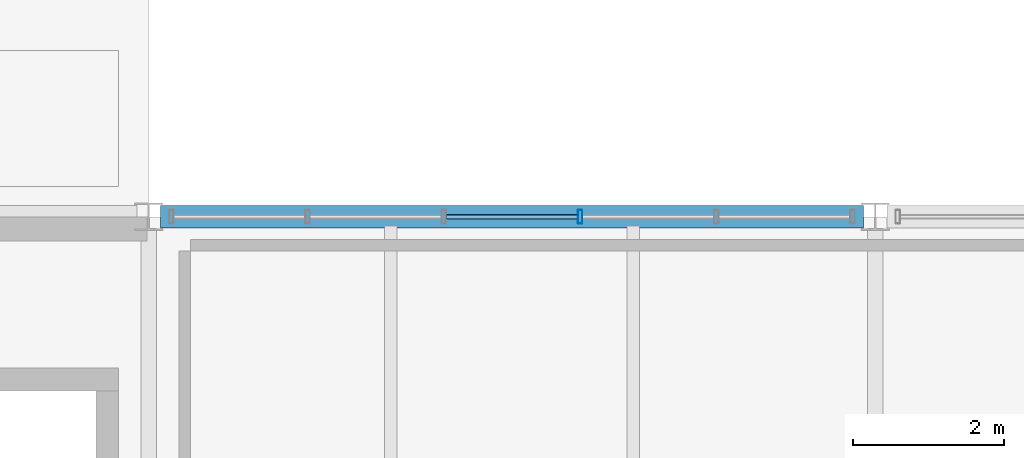
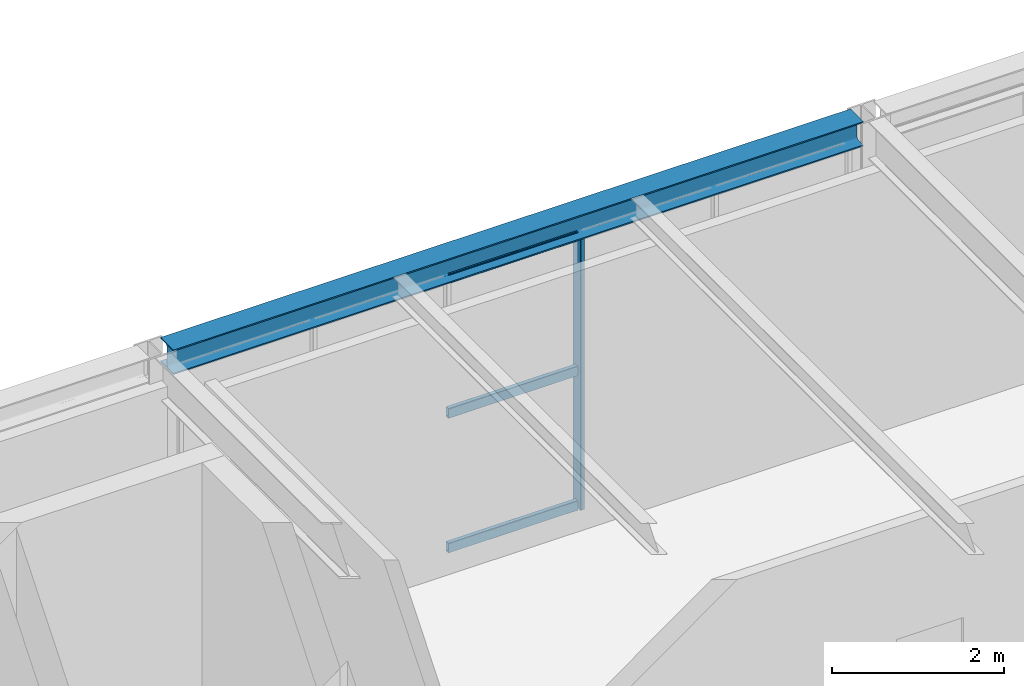
# One storey, part 37 of 170: 4 members, 1 beam, 1 element without a shape of its own.
"""IFC4 building model written with IfcOpenShell, lengths in metres."""

import ifcopenshell
import ifcopenshell.guid

model = None  # the IFC model being written
_history = None  # IfcOwnerHistory: only IFC2X3 demands one
_inside = {}  # id of a spatial element -> (the spatial element, [elements in it])
_under = {}  # id of a project, library or spatial element -> (it, [spatial elements below it])
_declared = {}  # id of a project -> (the project, [libraries it declares])
_typed = {}  # id of a type object -> (the type object, [elements of that type])
_made_of = {}  # id of a material, layer set ... -> (it, [elements and type objects made of it])


def new_model(schema):
    """Start an empty IFC model of exactly this schema.

    Asked for "IFC4X3", IfcOpenShell would pick the latest addendum, in which some entities
    have other attributes; the version numbers below select the first issue.
    IFC2X3 requires an IfcOwnerHistory on every rooted entity: one is made here for all.
    """
    global model, _history
    if schema == "IFC4X3":
        model = ifcopenshell.file(schema_version=(4, 3, 0, 0))
    else:
        model = ifcopenshell.file(schema=schema)
    _inside.clear()
    _under.clear()
    _declared.clear()
    _typed.clear()
    _made_of.clear()
    _history = None
    if model.schema == "IFC2X3":
        org = make("IfcOrganization", Name="unknown")
        user = make(
            "IfcPersonAndOrganization",
            ThePerson=make("IfcPerson", FamilyName="unknown"),
            TheOrganization=org,
        )
        app = make(
            "IfcApplication",
            ApplicationDeveloper=org,
            Version="unknown",
            ApplicationFullName="unknown",
            ApplicationIdentifier="unknown",
        )
        _history = make(
            "IfcOwnerHistory",
            OwningUser=user,
            OwningApplication=app,
            ChangeAction="ADDED",
            CreationDate=0,
        )
    return model


def make(cls, **values):
    """One entity of the class cls with the attributes given. An attribute that is None is left unset."""
    return model.create_entity(
        cls, **{name: value for name, value in values.items() if value is not None}
    )


def rooted(cls, **values):
    """An entity with a GlobalId (a new one), such as an element, a storey or a relation."""
    return make(cls, GlobalId=ifcopenshell.guid.new(), OwnerHistory=_history, **values)


def si_unit(unit_type, name, prefix=None):
    """IfcSIUnit, for example si_unit("LENGTHUNIT", "METRE", prefix="MILLI")."""
    return make("IfcSIUnit", UnitType=unit_type, Prefix=prefix, Name=name)


def assignment(units):
    """IfcUnitAssignment: the units of a project."""
    return None if units is None else make("IfcUnitAssignment", Units=units)


def point(xyz):
    """IfcCartesianPoint."""
    return None if xyz is None else make("IfcCartesianPoint", Coordinates=xyz)


def direction(xyz):
    """IfcDirection."""
    return None if xyz is None else make("IfcDirection", DirectionRatios=xyz)


def frame(location, z_axis=None, x_axis=None):
    """IfcAxis2Placement3D, a coordinate frame: its origin and axes. An axis left out is left unset."""
    return make(
        "IfcAxis2Placement3D",
        Location=point(location),
        Axis=direction(z_axis),
        RefDirection=direction(x_axis),
    )


def frame_2d(location, x_axis=None):
    """IfcAxis2Placement2D, a coordinate frame in the plane: its origin and x axis."""
    return make(
        "IfcAxis2Placement2D", Location=point(location), RefDirection=direction(x_axis)
    )


def origin():
    """The frame at (0, 0, 0) with its axes left unset."""
    return frame((0.0, 0.0, 0.0))


def origin_2d():
    """The frame at (0, 0) in the plane with its x axis left unset."""
    return frame_2d((0.0, 0.0))


def place(relative_to, where):
    """IfcLocalPlacement: puts the frame where relative to a parent placement (None: the world)."""
    return make(
        "IfcLocalPlacement", PlacementRelTo=relative_to, RelativePlacement=where
    )


def context(
    kind, dimensions, precision=None, world=None, true_north=None, identifier=None
):
    """IfcGeometricRepresentationContext, for example the 3D "Model" context."""
    return make(
        "IfcGeometricRepresentationContext",
        ContextIdentifier=identifier,
        ContextType=kind,
        CoordinateSpaceDimension=dimensions,
        Precision=precision,
        WorldCoordinateSystem=world,
        TrueNorth=true_north,
    )


def subcontext(parent, identifier, kind, view, scale=None):
    """IfcGeometricRepresentationSubContext, for example "Body" below "Model"."""
    return make(
        "IfcGeometricRepresentationSubContext",
        ContextIdentifier=identifier,
        ContextType=kind,
        ParentContext=parent,
        TargetScale=scale,
        TargetView=view,
    )


def project(units=None, contexts=None):
    """IfcProject with its units and contexts."""
    return rooted(
        "IfcProject",
        Name="project",
        RepresentationContexts=contexts,
        UnitsInContext=assignment(units),
    )


def spatial(cls, under=None, at=None, **own):
    """A site, building, storey or space (cls), placed at a placement, below another one or the project."""
    s = rooted(cls, ObjectPlacement=at, **own)
    if under is not None:
        _under.setdefault(under.id(), (under, []))[1].append(s)
    return s


def profile(cls, at=None, kind="AREA", **sizes):
    """A parametric profile (cls). Its sizes go by their IFC names, for example OverallWidth=200.0."""
    return make(cls, ProfileType=kind, Position=at, **sizes)


def hollow_rectangle(**sizes):
    """IfcRectangleHollowProfileDef."""
    return profile("IfcRectangleHollowProfileDef", **sizes)


def i_section(**sizes):
    """IfcIShapeProfileDef."""
    return profile("IfcIShapeProfileDef", **sizes)


def extrude(swept, where, along, depth):
    """IfcExtrudedAreaSolid: the profile swept, set in the frame where, extruded along a direction by depth."""
    return make(
        "IfcExtrudedAreaSolid",
        SweptArea=swept,
        Position=where,
        ExtrudedDirection=direction(along),
        Depth=depth,
    )


def shape(context_of_items, identifier, shape_type, items):
    """IfcShapeRepresentation: the items that make up one representation, for example the "Body"."""
    return make(
        "IfcShapeRepresentation",
        ContextOfItems=context_of_items,
        RepresentationIdentifier=identifier,
        RepresentationType=shape_type,
        Items=items,
    )


def material(Name=None, Category=None):
    """IfcMaterial."""
    return make("IfcMaterial", Name=Name, Category=Category)


def material_profile(
    of_material, cross_section, Name=None, Category=None, Priority=None
):
    """IfcMaterialProfile: a cross section and its material."""
    return make(
        "IfcMaterialProfile",
        Name=Name,
        Material=of_material,
        Profile=cross_section,
        Priority=Priority,
        Category=Category,
    )


def profile_set(profiles, Name=None, composite=None):
    """IfcMaterialProfileSet."""
    return make(
        "IfcMaterialProfileSet",
        Name=Name,
        MaterialProfiles=profiles,
        CompositeProfile=composite,
    )


def made_of(thing, what):
    """Note that an element or type object is made of a material, layer set ...; save() writes the relation."""
    if what is not None:
        _made_of.setdefault(what.id(), (what, []))[1].append(thing)
    return thing


def type_object(cls, material=None, **own):
    """A type object (cls), such as IfcWallType, which elements share."""
    return made_of(rooted(cls, **own), material)


def element(
    cls,
    number,
    at=None,
    inside=None,
    cuts=None,
    type_object=None,
    material=None,
    context=None,
    identifier="Body",
    shape_type=None,
    held_by="IfcProductDefinitionShape",
    body=None,
    shapes=None,
    **own,
):
    """One element of the class cls, such as IfcWall. Its Tag is "e" and its number.

    at: its placement. inside: the storey or other place that contains it. cuts: it is an
    opening in that element (IfcRelVoidsElement). A single representation is given by context,
    identifier, shape_type and body (its items); several are given by shapes. held_by: the class
    of the entity that holds the representations. save() writes the other relations.
    """
    e = rooted(cls, Tag="e%d" % number, ObjectPlacement=at, **own)
    if body is not None:
        shapes = [shape(context, identifier, shape_type, body)]
    if shapes is not None:
        e.Representation = make(held_by, Representations=shapes)
    if inside is not None:
        _inside.setdefault(inside.id(), (inside, []))[1].append(e)
    if cuts is not None:
        rooted(
            "IfcRelVoidsElement", RelatingBuildingElement=cuts, RelatedOpeningElement=e
        )
    if type_object is not None:
        _typed.setdefault(type_object.id(), (type_object, []))[1].append(e)
    return made_of(e, material)


def aggregate(whole, parts):
    """IfcRelAggregates: a whole, such as a stair, and the parts it consists of."""
    return rooted("IfcRelAggregates", RelatingObject=whole, RelatedObjects=parts)


def save(model, path):
    """Write the relations noted so far, then the file.

    IfcRelAggregates (storeys below a building ...), IfcRelContainedInSpatialStructure (elements
    in a storey), IfcRelDefinesByType, IfcRelAssociatesMaterial and IfcRelDeclares: one each for
    every whole, place, type object, material and project.
    """
    for whole, parts in _under.values():
        aggregate(whole, parts)
    for where, things in _inside.values():
        rooted(
            "IfcRelContainedInSpatialStructure",
            RelatedElements=things,
            RelatingStructure=where,
        )
    for kind, things in _typed.values():
        rooted("IfcRelDefinesByType", RelatedObjects=things, RelatingType=kind)
    for what, things in _made_of.values():
        rooted("IfcRelAssociatesMaterial", RelatedObjects=things, RelatingMaterial=what)
    for by, libraries in _declared.values():
        rooted("IfcRelDeclares", RelatingContext=by, RelatedDefinitions=libraries)
    model.write(path)


model = new_model("IFC4")

# Units and contexts
model_context = context("Model", 3, precision=1e-05, world=origin(), true_north=direction((0.0, 1.0)))
body_context = subcontext(model_context, "Body", "Model", "MODEL_VIEW")
ifc_project = project(units=[si_unit("LENGTHUNIT", "METRE"), si_unit("AREAUNIT", "SQUARE_METRE"), si_unit("VOLUMEUNIT", "CUBIC_METRE"), si_unit("PLANEANGLEUNIT", "RADIAN"), si_unit("MASSUNIT", "GRAM", prefix="KILO")], contexts=[model_context])

# Site, building, storey
site_placement = place(None, origin())
site = spatial("IfcSite", under=ifc_project, at=site_placement, CompositionType="ELEMENT")
building_placement = place(site_placement, origin())
building = spatial("IfcBuilding", under=site, at=building_placement, Name="Coralgate Yard Interchange", CompositionType="ELEMENT")
storey_placement = place(building_placement, frame((0.0, 0.0, 6.0)))
storey = spatial("IfcBuildingStorey", under=building, at=storey_placement, Name="L01", CompositionType="ELEMENT", Elevation=6.0)

# Beam
ifc_material_1 = material(Name="Structural steel S355J2", Category="steel")
ifc_material_profile_1 = material_profile(ifc_material_1, i_section(OverallWidth=0.300048828125, OverallDepth=0.35009765625, WebThickness=0.010009765625, FlangeThickness=0.017578125, FilletRadius=0.027099609375, at=origin_2d()), Name="HEA 360")
ifc_profile_set_1 = profile_set([ifc_material_profile_1], Name="Structural steel S355J2")
beam_type = type_object("IfcBeamType", Name="BM-SP-1", PredefinedType="SPANDREL", material=ifc_profile_set_1)
beam_placement = place(storey_placement, frame((57.75634765625, 19.199951171875, 4.074951171875), z_axis=(1.0, 0.0, 0.0), x_axis=(0.0, 1.0, 0.0)))
element("IfcBeam", 1, at=beam_placement, inside=storey, type_object=beam_type, Name="L01 primary grid beam Y2 X6-7", PredefinedType="SPANDREL", context=body_context, shape_type="SweptSolid", body=[
    extrude(i_section(OverallWidth=0.300048828125, OverallDepth=0.35009765625, WebThickness=0.010009765625, FlangeThickness=0.017578125, FilletRadius=0.027099609375, at=origin_2d()), origin(), (0.0, 0.0, 1.0), 9.287353515625),
])

# Curtain wall, members
ifc_material_2 = material(Name="Anodised coastal aluminium and solar-control low-E glass", Category="aluminium")
curtain_wall_type = type_object("IfcCurtainWallType", Name="CW-CW-L01-B", PredefinedType="NOTDEFINED", material=ifc_material_2)
curtain_wall_placement = place(storey_placement, origin())
curtain_wall = element("IfcCurtainWall", 2, at=curtain_wall_placement, inside=storey, type_object=curtain_wall_type, Name="L01 unitised curtain wall CW-L01-N-06-01", PredefinedType="NOTDEFINED")
ifc_material_3 = material(Name="Anodised coastal aluminium 6063-T6", Category="aluminium")
ifc_material_profile_2 = material_profile(ifc_material_3, hollow_rectangle(XDim=0.06005859375, YDim=0.179931640625, WallThickness=0.00390625, InnerFilletRadius=0.00390625, OuterFilletRadius=0.008056640625, at=origin_2d()), Name="ALU 60x180x4")
ifc_profile_set_2 = profile_set([ifc_material_profile_2], Name="Anodised coastal aluminium 6063-T6")
member_type_1 = type_object("IfcMemberType", Name="MB-MUL-180", PredefinedType="MULLION", material=ifc_profile_set_2)
member_1_placement = place(storey_placement, frame((63.300048828125, 19.199951171875, 0.0), z_axis=(0.0, 0.0, 1.0), x_axis=(1.0, 0.0, 0.0)))
member_1 = element("IfcMember", 3, at=member_1_placement, type_object=member_type_1, Name="CW-L01-N-06-01 vertical mullion 4", PredefinedType="MULLION", context=body_context, shape_type="SweptSolid", body=[
    extrude(hollow_rectangle(XDim=0.06005859375, YDim=0.179931640625, WallThickness=0.00390625, InnerFilletRadius=0.00390625, OuterFilletRadius=0.008056640625, at=origin_2d()), origin(), (0.0, 0.0, 1.0), 3.89990234375),
])
ifc_material_profile_3 = material_profile(ifc_material_3, hollow_rectangle(XDim=0.06005859375, YDim=0.139892578125, WallThickness=0.00341796875, InnerFilletRadius=0.00341796875, OuterFilletRadius=0.007080078125, at=origin_2d()), Name="ALU 60x140x3.5")
ifc_profile_set_3 = profile_set([ifc_material_profile_3], Name="Anodised coastal aluminium 6063-T6")
member_type_2 = type_object("IfcMemberType", Name="MB-TRN-140", PredefinedType="USERDEFINED", material=ifc_profile_set_3)
member_2_placement = place(storey_placement, frame((61.530029296875, 19.199951171875, 0.034912109375), z_axis=(1.0, 0.0, 0.0), x_axis=(0.0, 1.0, 0.0)))
member_2 = element("IfcMember", 4, at=member_2_placement, type_object=member_type_2, Name="CW-L01-N-06-01 horizontal transom 3-1", ObjectType="TRANSOM", PredefinedType="USERDEFINED", context=body_context, shape_type="SweptSolid", body=[
    extrude(hollow_rectangle(XDim=0.06005859375, YDim=0.139892578125, WallThickness=0.00341796875, InnerFilletRadius=0.00341796875, OuterFilletRadius=0.007080078125, at=origin_2d()), origin(), (0.0, 0.0, 1.0), 1.739990234375),
])
member_3_placement = place(storey_placement, frame((61.530029296875, 19.199951171875, 1.949951171875), z_axis=(1.0, 0.0, 0.0), x_axis=(0.0, 1.0, 0.0)))
member_3 = element("IfcMember", 5, at=member_3_placement, type_object=member_type_2, Name="CW-L01-N-06-01 horizontal transom 3-2", ObjectType="TRANSOM", PredefinedType="USERDEFINED", context=body_context, shape_type="SweptSolid", body=[
    extrude(hollow_rectangle(XDim=0.06005859375, YDim=0.139892578125, WallThickness=0.00341796875, InnerFilletRadius=0.00341796875, OuterFilletRadius=0.007080078125, at=origin_2d()), origin(), (0.0, 0.0, 1.0), 1.739990234375),
])
member_4_placement = place(storey_placement, frame((61.530029296875, 19.199951171875, 3.864990234375), z_axis=(1.0, 0.0, 0.0), x_axis=(0.0, 1.0, 0.0)))
member_4 = element("IfcMember", 6, at=member_4_placement, type_object=member_type_2, Name="CW-L01-N-06-01 horizontal transom 3-3", ObjectType="TRANSOM", PredefinedType="USERDEFINED", context=body_context, shape_type="SweptSolid", body=[
    extrude(hollow_rectangle(XDim=0.06005859375, YDim=0.139892578125, WallThickness=0.00341796875, InnerFilletRadius=0.00341796875, OuterFilletRadius=0.007080078125, at=origin_2d()), origin(), (0.0, 0.0, 1.0), 1.739990234375),
])
aggregate(curtain_wall, [member_1, member_2, member_3, member_4])

save(model, "model.ifc")
